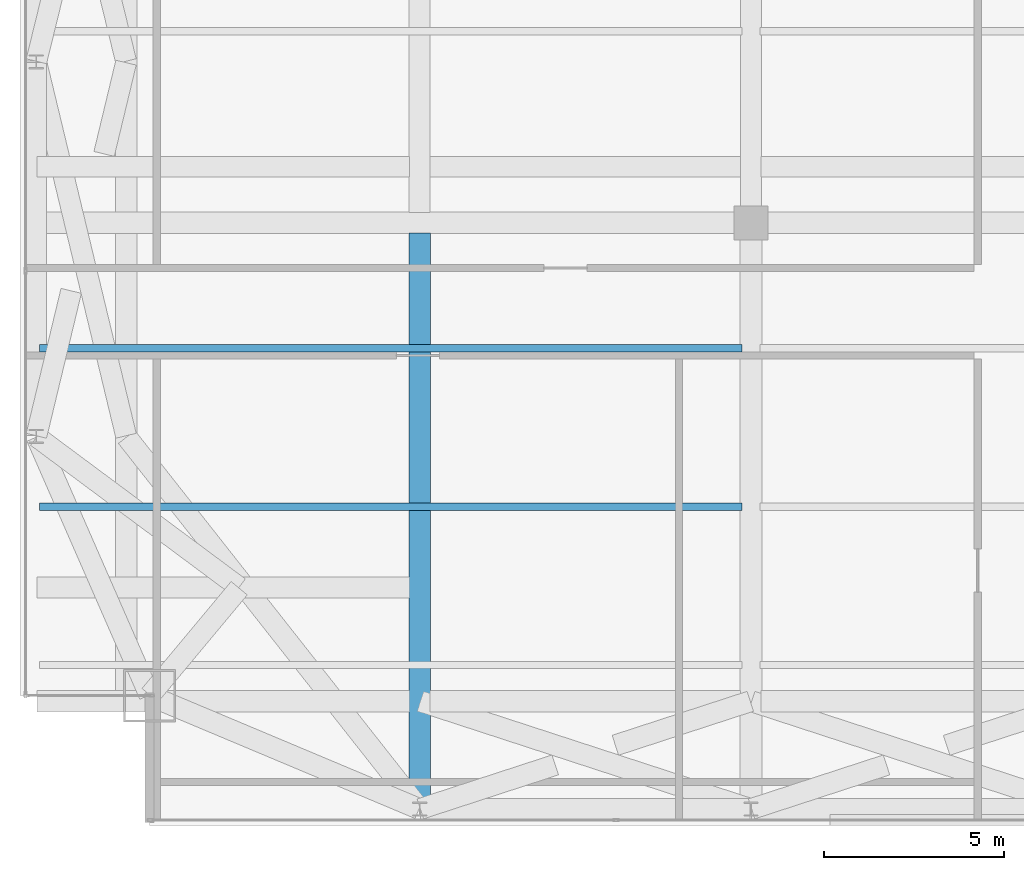
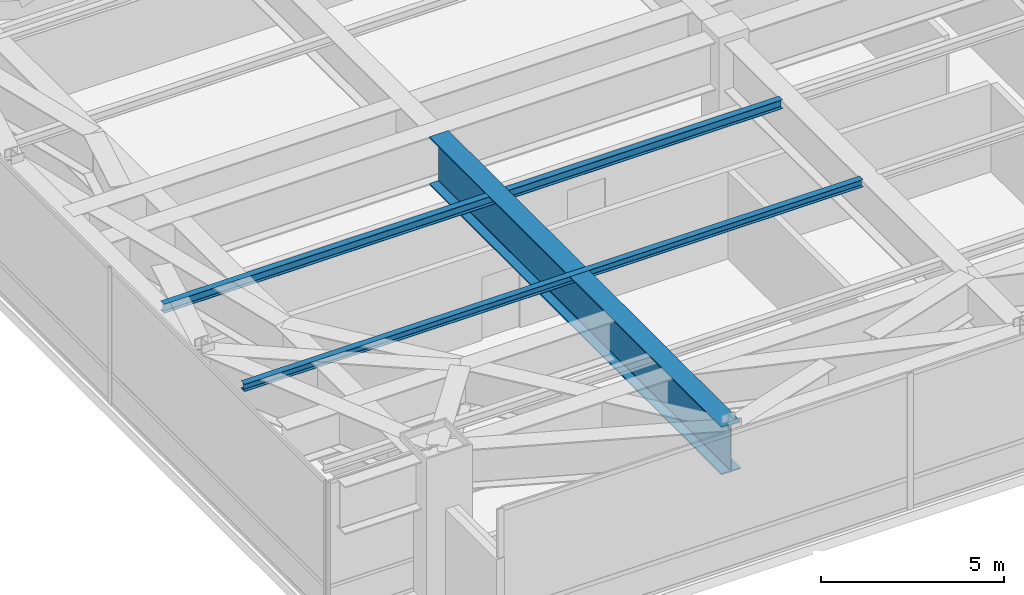
# One storey, part 7 of 32: 3 beams.
"""IFC4 building model written with IfcOpenShell, lengths in metres."""

from ifc_helpers import new_model, si_unit, direction, frame, origin, origin_2d, place, context, subcontext, project, spatial, i_section, extrude, source, transform, mapped, material, material_profile, profile_set, type_object, type_shapes, element, save


model = new_model("IFC4")

# Units and contexts
model_context = context("Model", 3, precision=1e-05, world=origin(), true_north=direction((0.0, 1.0)))
body_context = subcontext(model_context, "Body", "Model", "MODEL_VIEW")
ifc_project = project(units=[si_unit("LENGTHUNIT", "METRE"), si_unit("AREAUNIT", "SQUARE_METRE"), si_unit("VOLUMEUNIT", "CUBIC_METRE"), si_unit("PLANEANGLEUNIT", "RADIAN"), si_unit("MASSUNIT", "GRAM", prefix="KILO")], contexts=[model_context])

# Site, building, storey
site_placement = place(None, origin())
site = spatial("IfcSite", under=ifc_project, at=site_placement, CompositionType="ELEMENT")
building_placement = place(site_placement, origin())
building = spatial("IfcBuilding", under=site, at=building_placement, Name="Varnel Quay Broadcast Tower", CompositionType="ELEMENT")
storey_placement = place(building_placement, frame((0.0, 0.0, 141.0)))
storey = spatial("IfcBuildingStorey", under=building, at=storey_placement, Name="L34", CompositionType="ELEMENT", Elevation=141.0)

# Beams
ifc_material_1 = material(Name="Structural Steel CSA G40.21 350WT", Category="steel")
ifc_material_profile_1 = material_profile(ifc_material_1, i_section(OverallWidth=0.60009765625, OverallDepth=1.60009765625, WebThickness=0.02392578125, FlangeThickness=0.0419921875, FilletRadius=0.02197265625, at=origin_2d()), Name="WWF1600X620")
ifc_profile_set_1 = profile_set([ifc_material_profile_1], Name="Structural Steel CSA G40.21 350WT")
beam_type_1 = type_object("IfcBeamType", Name="Girder_WWF1600X620", PredefinedType="BEAM", material=ifc_profile_set_1)
shared_shape_1 = source(origin(), body_context, "Body", "SweptSolid", [
    extrude(i_section(OverallWidth=0.60009765625, OverallDepth=1.60009765625, WebThickness=0.02392578125, FlangeThickness=0.0419921875, FilletRadius=0.02197265625, at=origin_2d()), origin(), (0.0, 0.0, 1.0), 15.97509765625),
])
type_shapes(beam_type_1, [shared_shape_1])
beam_1_placement = place(storey_placement, frame((15.60009765625, 4.669921875, 3.75), z_axis=(0.0, 1.0, 0.0), x_axis=(-1.0, 0.0, 0.0)))
element("IfcBeam", 1, at=beam_1_placement, inside=storey, type_object=beam_type_1, Name="L34 N-S Transfer Girder 1A", PredefinedType="BEAM", context=body_context, shape_type="MappedRepresentation", body=[
    mapped(shared_shape_1, transform((0.0, 0.0, 0.0), x_axis=(1.0, 0.0, 0.0), y_axis=(0.0, 1.0, 0.0), z_axis=(0.0, 0.0, 1.0), scale=1.0)),
])
ifc_material_2 = material(Name="Structural Steel CSA G40.21 350W", Category="steel")
ifc_material_profile_2 = material_profile(ifc_material_2, i_section(OverallWidth=0.202880859375, OverallDepth=0.302978515625, WebThickness=0.007568359375, FlangeThickness=0.01318359375, FilletRadius=0.011962890625, at=origin_2d()), Name="W310X60")
ifc_profile_set_2 = profile_set([ifc_material_profile_2], Name="Structural Steel CSA G40.21 350W")
beam_type_2 = type_object("IfcBeamType", Name="Beam_W310X60", PredefinedType="JOIST", material=ifc_profile_set_2)
shared_shape_2 = source(origin(), body_context, "Body", "SweptSolid", [
    extrude(i_section(OverallWidth=0.202880859375, OverallDepth=0.302978515625, WebThickness=0.007568359375, FlangeThickness=0.01318359375, FilletRadius=0.011962890625, at=origin_2d()), origin(), (0.0, 0.0, 1.0), 19.51953125),
])
type_shapes(beam_type_2, [shared_shape_2])
beam_2_placement = place(storey_placement, frame((5.035400390625, 17.449951171875, 4.3984375), z_axis=(1.0, 0.0, 0.0), x_axis=(0.0, 1.0, 0.0)))
element("IfcBeam", 2, at=beam_2_placement, inside=storey, type_object=beam_type_2, Name="L34 West Floor Joist 3", PredefinedType="JOIST", context=body_context, shape_type="MappedRepresentation", body=[
    mapped(shared_shape_2, transform((0.0, 0.0, 0.0), x_axis=(1.0, 0.0, 0.0), y_axis=(0.0, 1.0, 0.0), z_axis=(0.0, 0.0, 1.0), scale=1.0)),
])
ifc_material_profile_3 = material_profile(ifc_material_2, i_section(OverallWidth=0.201904296875, OverallDepth=0.2470703125, WebThickness=0.00732421875, FlangeThickness=0.010986328125, FilletRadius=0.010986328125, at=origin_2d()), Name="W250X49")
ifc_profile_set_3 = profile_set([ifc_material_profile_3], Name="Structural Steel CSA G40.21 350W")
beam_type_3 = type_object("IfcBeamType", Name="Beam_W250X49", PredefinedType="JOIST", material=ifc_profile_set_3)
shared_shape_3 = source(origin(), body_context, "Body", "SweptSolid", [
    extrude(i_section(OverallWidth=0.201904296875, OverallDepth=0.2470703125, WebThickness=0.00732421875, FlangeThickness=0.010986328125, FilletRadius=0.010986328125, at=origin_2d()), origin(), (0.0, 0.0, 1.0), 19.51953125),
])
type_shapes(beam_type_3, [shared_shape_3])
beam_3_placement = place(storey_placement, frame((5.035400390625, 13.050048828125, 4.426513671875), z_axis=(1.0, 0.0, 0.0), x_axis=(0.0, 1.0, 0.0)))
element("IfcBeam", 3, at=beam_3_placement, inside=storey, type_object=beam_type_3, Name="L34 West Floor Joist 2", PredefinedType="JOIST", context=body_context, shape_type="MappedRepresentation", body=[
    mapped(shared_shape_3, transform((0.0, 0.0, 0.0), x_axis=(1.0, 0.0, 0.0), y_axis=(0.0, 1.0, 0.0), z_axis=(0.0, 0.0, 1.0), scale=1.0)),
])

save(model, "model.ifc")
